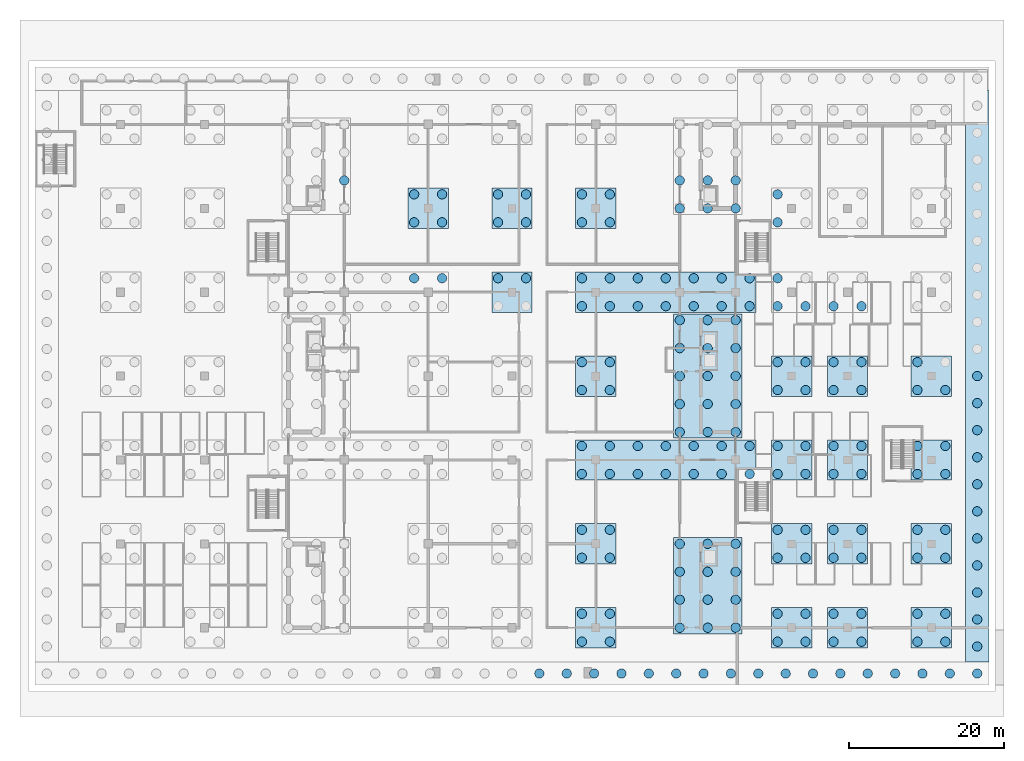
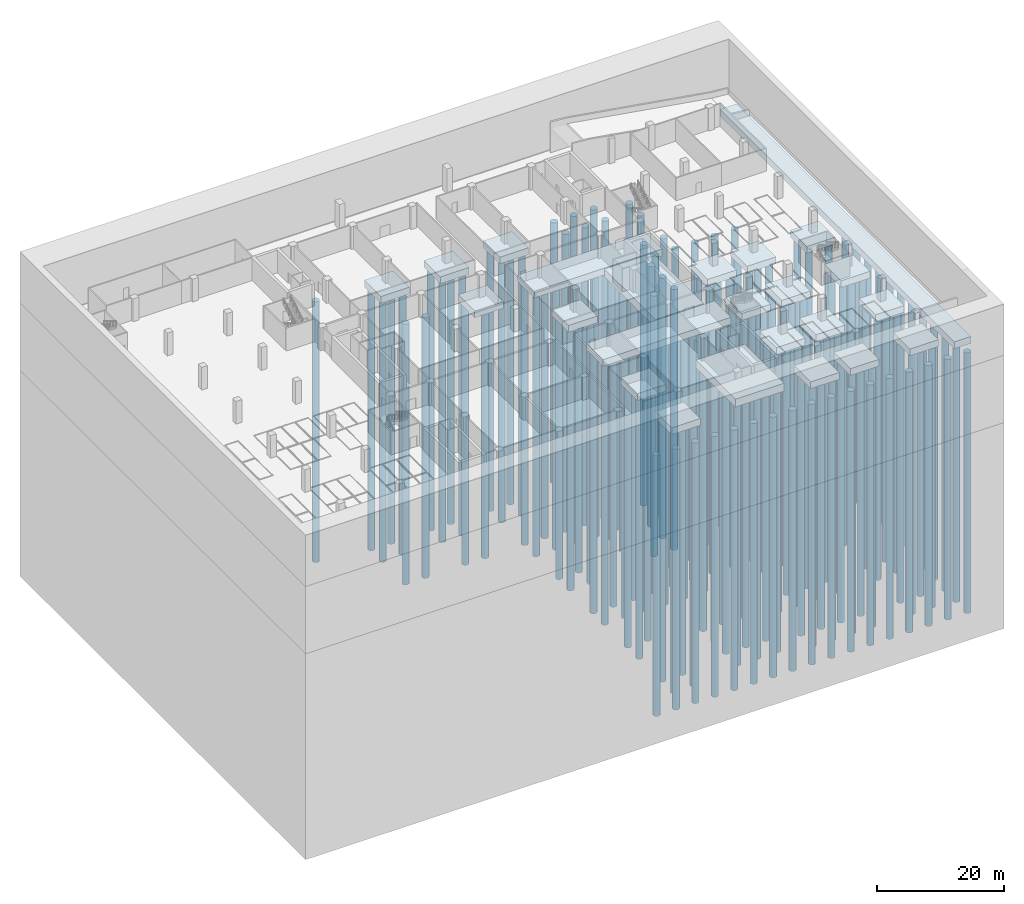
# One storey, part 2 of 18: 172 piles, 24 footings.
"""IFC4 building model written with IfcOpenShell, lengths in metres."""

from ifc_helpers import new_model, si_unit, direction, frame, origin, origin_2d, place, context, subcontext, project, spatial, polyline, circle, outline, extrude, material, material_profile, profile_set, type_object, element, save


model = new_model("IFC4")

# Units and contexts
model_context = context("Model", 3, precision=1e-05, world=origin(), true_north=direction((0.0, 1.0)))
body_context = subcontext(model_context, "Body", "Model", "MODEL_VIEW")
ifc_project = project(units=[si_unit("LENGTHUNIT", "METRE"), si_unit("AREAUNIT", "SQUARE_METRE"), si_unit("VOLUMEUNIT", "CUBIC_METRE"), si_unit("PLANEANGLEUNIT", "RADIAN"), si_unit("MASSUNIT", "GRAM", prefix="KILO")], contexts=[model_context])

# Site, building, storey
site_placement = place(None, origin())
site = spatial("IfcSite", under=ifc_project, at=site_placement, CompositionType="ELEMENT")
building_placement = place(site_placement, origin())
building = spatial("IfcBuilding", under=site, at=building_placement, Name="Basin Gate Institute", CompositionType="ELEMENT")
storey_placement = place(building_placement, frame((0.0, 0.0, -9.60009765625)))
storey = spatial("IfcBuildingStorey", under=building, at=storey_placement, Name="B2", CompositionType="ELEMENT", Elevation=-9.60009765625)

# Piles
ifc_material_1 = material(Name="Concrete 35 MPa", Category="concrete")
ifc_material_profile = material_profile(ifc_material_1, circle(Radius=0.60009765625, at=origin_2d()), Name="Bored pile P1 1200 dia")
ifc_profile_set = profile_set([ifc_material_profile], Name="Concrete 35 MPa")
pile_type = type_object("IfcPileType", Name="Bored pile P1", PredefinedType="BORED", material=ifc_profile_set)
for number, where, z_axis, x_axis, name in (
    (1, (68.39990234375, 92.699951171875, -2.0), (0.0, 0.0, -1.0), (1.0, 0.0, 0.0), "PILE/WN/10"),
    (2, (118.800048828125, 35.10009765625, -2.0), (0.0, 0.0, -1.0), (1.0, 0.0, 0.0), "PILE/ES/1"),
    (3, (118.800048828125, 38.699951171875, -2.0), (0.0, 0.0, -1.0), (1.0, 0.0, 0.0), "PILE/ES/2"),
    (4, (118.800048828125, 42.300048828125, -2.0), (0.0, 0.0, -1.0), (1.0, 0.0, 0.0), "PILE/ES/3"),
    (5, (118.800048828125, 45.89990234375, -2.0), (0.0, 0.0, -1.0), (1.0, 0.0, 0.0), "PILE/ES/4"),
    (6, (115.199951171875, 35.10009765625, -2.0), (0.0, 0.0, -1.0), (1.0, 0.0, 0.0), "PILE/ES/5"),
    (7, (115.199951171875, 38.699951171875, -2.0), (0.0, 0.0, -1.0), (1.0, 0.0, 0.0), "PILE/ES/6"),
    (8, (115.199951171875, 42.300048828125, -2.0), (0.0, 0.0, -1.0), (1.0, 0.0, 0.0), "PILE/ES/7"),
    (9, (115.199951171875, 45.89990234375, -2.0), (0.0, 0.0, -1.0), (1.0, 0.0, 0.0), "PILE/ES/8"),
    (10, (111.60009765625, 35.10009765625, -2.0), (0.0, 0.0, -1.0), (1.0, 0.0, 0.0), "PILE/ES/9"),
    (11, (111.60009765625, 38.699951171875, -2.0), (0.0, 0.0, -1.0), (1.0, 0.0, 0.0), "PILE/ES/10"),
    (12, (111.60009765625, 42.300048828125, -2.0), (0.0, 0.0, -1.0), (1.0, 0.0, 0.0), "PILE/ES/11"),
    (13, (111.60009765625, 45.89990234375, -2.0), (0.0, 0.0, -1.0), (1.0, 0.0, 0.0), "PILE/ES/12"),
    (14, (118.800048828125, 60.300048828125, -2.0), (0.0, 0.0, -1.0), (1.0, 0.0, 0.0), "PILE/EM/1"),
    (15, (118.800048828125, 63.89990234375, -2.0), (0.0, 0.0, -1.0), (1.0, 0.0, 0.0), "PILE/EM/2"),
    (16, (118.800048828125, 67.5, -2.0), (0.0, 0.0, -1.0), (1.0, 0.0, 0.0), "PILE/EM/3"),
    (17, (118.800048828125, 71.10009765625, -2.0), (0.0, 0.0, -1.0), (1.0, 0.0, 0.0), "PILE/EM/4"),
    (18, (118.800048828125, 74.699951171875, -2.0), (0.0, 0.0, -1.0), (1.0, 0.0, 0.0), "PILE/EM/5"),
    (19, (115.199951171875, 60.300048828125, -2.0), (0.0, 0.0, -1.0), (1.0, 0.0, 0.0), "PILE/EM/6"),
    (20, (115.199951171875, 63.89990234375, -2.0), (0.0, 0.0, -1.0), (1.0, 0.0, 0.0), "PILE/EM/7"),
    (21, (115.199951171875, 67.5, -2.0), (0.0, 0.0, -1.0), (1.0, 0.0, 0.0), "PILE/EM/8"),
    (22, (115.199951171875, 71.10009765625, -2.0), (0.0, 0.0, -1.0), (1.0, 0.0, 0.0), "PILE/EM/9"),
    (23, (115.199951171875, 74.699951171875, -2.0), (0.0, 0.0, -1.0), (1.0, 0.0, 0.0), "PILE/EM/10"),
    (24, (111.60009765625, 60.300048828125, -2.0), (0.0, 0.0, -1.0), (1.0, 0.0, 0.0), "PILE/EM/11"),
    (25, (111.60009765625, 63.89990234375, -2.0), (0.0, 0.0, -1.0), (1.0, 0.0, 0.0), "PILE/EM/12"),
    (26, (111.60009765625, 67.5, -2.0), (0.0, 0.0, -1.0), (1.0, 0.0, 0.0), "PILE/EM/13"),
    (27, (111.60009765625, 71.10009765625, -2.0), (0.0, 0.0, -1.0), (1.0, 0.0, 0.0), "PILE/EM/14"),
    (28, (111.60009765625, 74.699951171875, -2.0), (0.0, 0.0, -1.0), (1.0, 0.0, 0.0), "PILE/EM/15"),
    (29, (118.800048828125, 89.10009765625, -2.0), (0.0, 0.0, -1.0), (1.0, 0.0, 0.0), "PILE/EN/1"),
    (30, (118.800048828125, 92.699951171875, -2.0), (0.0, 0.0, -1.0), (1.0, 0.0, 0.0), "PILE/EN/2"),
    (31, (115.199951171875, 89.10009765625, -2.0), (0.0, 0.0, -1.0), (1.0, 0.0, 0.0), "PILE/EN/5"),
    (32, (115.199951171875, 92.699951171875, -2.0), (0.0, 0.0, -1.0), (1.0, 0.0, 0.0), "PILE/EN/6"),
    (33, (111.60009765625, 89.10009765625, -2.0), (0.0, 0.0, -1.0), (1.0, 0.0, 0.0), "PILE/EN/9"),
    (34, (111.60009765625, 92.699951171875, -2.0), (0.0, 0.0, -1.0), (1.0, 0.0, 0.0), "PILE/EN/10"),
    (35, (77.39990234375, 80.10009765625, -1.7998046875), (0.0, 0.0, -1.0), (1.0, 0.0, 0.0), "PILE/WWE/12"),
    (36, (81.0, 80.10009765625, -1.7998046875), (0.0, 0.0, -1.0), (1.0, 0.0, 0.0), "PILE/WWE/14"),
    (37, (120.60009765625, 54.89990234375, -1.7998046875), (0.0, 0.0, -1.0), (1.0, 0.0, 0.0), "PILE/EWC/1"),
    (38, (120.60009765625, 58.5, -1.7998046875), (0.0, 0.0, -1.0), (1.0, 0.0, 0.0), "PILE/EWC/2"),
    (39, (117.0, 54.89990234375, -1.7998046875), (0.0, 0.0, -1.0), (1.0, 0.0, 0.0), "PILE/EWC/3"),
    (40, (117.0, 58.5, -1.7998046875), (0.0, 0.0, -1.0), (1.0, 0.0, 0.0), "PILE/EWC/4"),
    (41, (113.39990234375, 54.89990234375, -1.7998046875), (0.0, 0.0, -1.0), (1.0, 0.0, 0.0), "PILE/EWC/5"),
    (42, (113.39990234375, 58.5, -1.7998046875), (0.0, 0.0, -1.0), (1.0, 0.0, 0.0), "PILE/EWC/6"),
    (43, (109.800048828125, 54.89990234375, -1.7998046875), (0.0, 0.0, -1.0), (1.0, 0.0, 0.0), "PILE/EWC/7"),
    (44, (109.800048828125, 58.5, -1.7998046875), (0.0, 0.0, -1.0), (1.0, 0.0, 0.0), "PILE/EWC/8"),
    (45, (106.199951171875, 54.89990234375, -1.7998046875), (0.0, 0.0, -1.0), (1.0, 0.0, 0.0), "PILE/EWC/9"),
    (46, (106.199951171875, 58.5, -1.7998046875), (0.0, 0.0, -1.0), (1.0, 0.0, 0.0), "PILE/EWC/10"),
    (47, (102.60009765625, 54.89990234375, -1.7998046875), (0.0, 0.0, -1.0), (1.0, 0.0, 0.0), "PILE/EWC/11"),
    (48, (102.60009765625, 58.5, -1.7998046875), (0.0, 0.0, -1.0), (1.0, 0.0, 0.0), "PILE/EWC/12"),
    (49, (99.0, 54.89990234375, -1.7998046875), (0.0, 0.0, -1.0), (1.0, 0.0, 0.0), "PILE/EWC/13"),
    (50, (99.0, 58.5, -1.7998046875), (0.0, 0.0, -1.0), (1.0, 0.0, 0.0), "PILE/EWC/14"),
    (51, (120.60009765625, 76.5, -1.7998046875), (0.0, 0.0, -1.0), (1.0, 0.0, 0.0), "PILE/EWE/1"),
    (52, (120.60009765625, 80.10009765625, -1.7998046875), (0.0, 0.0, -1.0), (1.0, 0.0, 0.0), "PILE/EWE/2"),
    (53, (117.0, 76.5, -1.7998046875), (0.0, 0.0, -1.0), (1.0, 0.0, 0.0), "PILE/EWE/3"),
    (54, (117.0, 80.10009765625, -1.7998046875), (0.0, 0.0, -1.0), (1.0, 0.0, 0.0), "PILE/EWE/4"),
    (55, (113.39990234375, 76.5, -1.7998046875), (0.0, 0.0, -1.0), (1.0, 0.0, 0.0), "PILE/EWE/5"),
    (56, (113.39990234375, 80.10009765625, -1.7998046875), (0.0, 0.0, -1.0), (1.0, 0.0, 0.0), "PILE/EWE/6"),
    (57, (109.800048828125, 76.5, -1.7998046875), (0.0, 0.0, -1.0), (1.0, 0.0, 0.0), "PILE/EWE/7"),
    (58, (109.800048828125, 80.10009765625, -1.7998046875), (0.0, 0.0, -1.0), (1.0, 0.0, 0.0), "PILE/EWE/8"),
    (59, (106.199951171875, 76.5, -1.7998046875), (0.0, 0.0, -1.0), (1.0, 0.0, 0.0), "PILE/EWE/9"),
    (60, (106.199951171875, 80.10009765625, -1.7998046875), (0.0, 0.0, -1.0), (1.0, 0.0, 0.0), "PILE/EWE/10"),
    (61, (102.60009765625, 76.5, -1.7998046875), (0.0, 0.0, -1.0), (1.0, 0.0, 0.0), "PILE/EWE/11"),
    (62, (102.60009765625, 80.10009765625, -1.7998046875), (0.0, 0.0, -1.0), (1.0, 0.0, 0.0), "PILE/EWE/12"),
    (63, (99.0, 76.5, -1.7998046875), (0.0, 0.0, -1.0), (1.0, 0.0, 0.0), "PILE/EWE/13"),
    (64, (99.0, 80.10009765625, -1.7998046875), (0.0, 0.0, -1.0), (1.0, 0.0, 0.0), "PILE/EWE/14"),
    (65, (77.39990234375, 87.300048828125, -1.7998046875), (0.0, 0.0, -1.0), (1.0, 0.0, 0.0), "PILE/6F/1"),
    (66, (81.0, 87.300048828125, -1.7998046875), (0.0, 0.0, -1.0), (1.0, 0.0, 0.0), "PILE/6F/2"),
    (67, (77.39990234375, 90.89990234375, -1.7998046875), (0.0, 0.0, -1.0), (1.0, 0.0, 0.0), "PILE/6F/3"),
    (68, (81.0, 90.89990234375, -1.7998046875), (0.0, 0.0, -1.0), (1.0, 0.0, 0.0), "PILE/6F/4"),
    (69, (99.0, 33.300048828125, -1.7998046875), (0.0, 0.0, -1.0), (1.0, 0.0, 0.0), "PILE/7A/1"),
    (70, (102.60009765625, 33.300048828125, -1.7998046875), (0.0, 0.0, -1.0), (1.0, 0.0, 0.0), "PILE/7A/2"),
    (71, (99.0, 36.89990234375, -1.7998046875), (0.0, 0.0, -1.0), (1.0, 0.0, 0.0), "PILE/7A/3"),
    (72, (102.60009765625, 36.89990234375, -1.7998046875), (0.0, 0.0, -1.0), (1.0, 0.0, 0.0), "PILE/7A/4"),
    (73, (99.0, 44.10009765625, -1.7998046875), (0.0, 0.0, -1.0), (1.0, 0.0, 0.0), "PILE/7B/1"),
    (74, (102.60009765625, 44.10009765625, -1.7998046875), (0.0, 0.0, -1.0), (1.0, 0.0, 0.0), "PILE/7B/2"),
    (75, (99.0, 47.699951171875, -1.7998046875), (0.0, 0.0, -1.0), (1.0, 0.0, 0.0), "PILE/7B/3"),
    (76, (102.60009765625, 47.699951171875, -1.7998046875), (0.0, 0.0, -1.0), (1.0, 0.0, 0.0), "PILE/7B/4"),
    (77, (99.0, 65.699951171875, -1.7998046875), (0.0, 0.0, -1.0), (1.0, 0.0, 0.0), "PILE/7D/1"),
    (78, (102.60009765625, 65.699951171875, -1.7998046875), (0.0, 0.0, -1.0), (1.0, 0.0, 0.0), "PILE/7D/2"),
    (79, (99.0, 69.300048828125, -1.7998046875), (0.0, 0.0, -1.0), (1.0, 0.0, 0.0), "PILE/7D/3"),
    (80, (102.60009765625, 69.300048828125, -1.7998046875), (0.0, 0.0, -1.0), (1.0, 0.0, 0.0), "PILE/7D/4"),
    (81, (99.0, 87.300048828125, -1.7998046875), (0.0, 0.0, -1.0), (1.0, 0.0, 0.0), "PILE/7F/1"),
    (82, (102.60009765625, 87.300048828125, -1.7998046875), (0.0, 0.0, -1.0), (1.0, 0.0, 0.0), "PILE/7F/2"),
    (83, (99.0, 90.89990234375, -1.7998046875), (0.0, 0.0, -1.0), (1.0, 0.0, 0.0), "PILE/7F/3"),
    (84, (102.60009765625, 90.89990234375, -1.7998046875), (0.0, 0.0, -1.0), (1.0, 0.0, 0.0), "PILE/7F/4"),
    (85, (88.199951171875, 80.10009765625, -1.7998046875), (0.0, 0.0, -1.0), (1.0, 0.0, 0.0), "PILE/6.5E/3"),
    (86, (91.800048828125, 80.10009765625, -1.7998046875), (0.0, 0.0, -1.0), (1.0, 0.0, 0.0), "PILE/6.5E/4"),
    (87, (88.199951171875, 87.300048828125, -1.7998046875), (0.0, 0.0, -1.0), (1.0, 0.0, 0.0), "PILE/6.5F/1"),
    (88, (91.800048828125, 87.300048828125, -1.7998046875), (0.0, 0.0, -1.0), (1.0, 0.0, 0.0), "PILE/6.5F/2"),
    (89, (88.199951171875, 90.89990234375, -1.7998046875), (0.0, 0.0, -1.0), (1.0, 0.0, 0.0), "PILE/6.5F/3"),
    (90, (91.800048828125, 90.89990234375, -1.7998046875), (0.0, 0.0, -1.0), (1.0, 0.0, 0.0), "PILE/6.5F/4"),
    (91, (124.199951171875, 33.300048828125, -1.7998046875), (0.0, 0.0, -1.0), (1.0, 0.0, 0.0), "PILE/10A/1"),
    (92, (127.800048828125, 33.300048828125, -1.7998046875), (0.0, 0.0, -1.0), (1.0, 0.0, 0.0), "PILE/10A/2"),
    (93, (124.199951171875, 36.89990234375, -1.7998046875), (0.0, 0.0, -1.0), (1.0, 0.0, 0.0), "PILE/10A/3"),
    (94, (127.800048828125, 36.89990234375, -1.7998046875), (0.0, 0.0, -1.0), (1.0, 0.0, 0.0), "PILE/10A/4"),
    (95, (124.199951171875, 44.10009765625, -1.7998046875), (0.0, 0.0, -1.0), (1.0, 0.0, 0.0), "PILE/10B/1"),
    (96, (127.800048828125, 44.10009765625, -1.7998046875), (0.0, 0.0, -1.0), (1.0, 0.0, 0.0), "PILE/10B/2"),
    (97, (124.199951171875, 47.699951171875, -1.7998046875), (0.0, 0.0, -1.0), (1.0, 0.0, 0.0), "PILE/10B/3"),
    (98, (127.800048828125, 47.699951171875, -1.7998046875), (0.0, 0.0, -1.0), (1.0, 0.0, 0.0), "PILE/10B/4"),
    (99, (124.199951171875, 54.89990234375, -1.7998046875), (0.0, 0.0, -1.0), (1.0, 0.0, 0.0), "PILE/10C/1"),
    (100, (127.800048828125, 54.89990234375, -1.7998046875), (0.0, 0.0, -1.0), (1.0, 0.0, 0.0), "PILE/10C/2"),
    (101, (124.199951171875, 58.5, -1.7998046875), (0.0, 0.0, -1.0), (1.0, 0.0, 0.0), "PILE/10C/3"),
    (102, (127.800048828125, 58.5, -1.7998046875), (0.0, 0.0, -1.0), (1.0, 0.0, 0.0), "PILE/10C/4"),
    (103, (124.199951171875, 65.699951171875, -1.7998046875), (0.0, 0.0, -1.0), (1.0, 0.0, 0.0), "PILE/10D/1"),
    (104, (127.800048828125, 65.699951171875, -1.7998046875), (0.0, 0.0, -1.0), (1.0, 0.0, 0.0), "PILE/10D/2"),
    (105, (124.199951171875, 69.300048828125, -1.7998046875), (0.0, 0.0, -1.0), (1.0, 0.0, 0.0), "PILE/10D/3"),
    (106, (127.800048828125, 69.300048828125, -1.7998046875), (0.0, 0.0, -1.0), (1.0, 0.0, 0.0), "PILE/10D/4"),
    (107, (124.199951171875, 76.5, -1.7998046875), (0.0, 0.0, -1.0), (1.0, 0.0, 0.0), "PILE/10E/1"),
    (108, (127.800048828125, 76.5, -1.7998046875), (0.0, 0.0, -1.0), (1.0, 0.0, 0.0), "PILE/10E/2"),
    (109, (124.199951171875, 80.10009765625, -1.7998046875), (0.0, 0.0, -1.0), (1.0, 0.0, 0.0), "PILE/10E/3"),
    (110, (124.199951171875, 87.300048828125, -1.7998046875), (0.0, 0.0, -1.0), (1.0, 0.0, 0.0), "PILE/10F/1"),
    (111, (124.199951171875, 90.89990234375, -1.7998046875), (0.0, 0.0, -1.0), (1.0, 0.0, 0.0), "PILE/10F/3"),
    (112, (131.39990234375, 33.300048828125, -1.7998046875), (0.0, 0.0, -1.0), (1.0, 0.0, 0.0), "PILE/11A/1"),
    (113, (135.0, 33.300048828125, -1.7998046875), (0.0, 0.0, -1.0), (1.0, 0.0, 0.0), "PILE/11A/2"),
    (114, (131.39990234375, 36.89990234375, -1.7998046875), (0.0, 0.0, -1.0), (1.0, 0.0, 0.0), "PILE/11A/3"),
    (115, (135.0, 36.89990234375, -1.7998046875), (0.0, 0.0, -1.0), (1.0, 0.0, 0.0), "PILE/11A/4"),
    (116, (131.39990234375, 44.10009765625, -1.7998046875), (0.0, 0.0, -1.0), (1.0, 0.0, 0.0), "PILE/11B/1"),
    (117, (135.0, 44.10009765625, -1.7998046875), (0.0, 0.0, -1.0), (1.0, 0.0, 0.0), "PILE/11B/2"),
    (118, (131.39990234375, 47.699951171875, -1.7998046875), (0.0, 0.0, -1.0), (1.0, 0.0, 0.0), "PILE/11B/3"),
    (119, (135.0, 47.699951171875, -1.7998046875), (0.0, 0.0, -1.0), (1.0, 0.0, 0.0), "PILE/11B/4"),
    (120, (131.39990234375, 54.89990234375, -1.7998046875), (0.0, 0.0, -1.0), (1.0, 0.0, 0.0), "PILE/11C/1"),
    (121, (135.0, 54.89990234375, -1.7998046875), (0.0, 0.0, -1.0), (1.0, 0.0, 0.0), "PILE/11C/2"),
    (122, (131.39990234375, 58.5, -1.7998046875), (0.0, 0.0, -1.0), (1.0, 0.0, 0.0), "PILE/11C/3"),
    (123, (135.0, 58.5, -1.7998046875), (0.0, 0.0, -1.0), (1.0, 0.0, 0.0), "PILE/11C/4"),
    (124, (131.39990234375, 65.699951171875, -1.7998046875), (0.0, 0.0, -1.0), (1.0, 0.0, 0.0), "PILE/11D/1"),
    (125, (135.0, 65.699951171875, -1.7998046875), (0.0, 0.0, -1.0), (1.0, 0.0, 0.0), "PILE/11D/2"),
    (126, (131.39990234375, 69.300048828125, -1.7998046875), (0.0, 0.0, -1.0), (1.0, 0.0, 0.0), "PILE/11D/3"),
    (127, (135.0, 69.300048828125, -1.7998046875), (0.0, 0.0, -1.0), (1.0, 0.0, 0.0), "PILE/11D/4"),
    (128, (131.39990234375, 76.5, -1.7998046875), (0.0, 0.0, -1.0), (1.0, 0.0, 0.0), "PILE/11E/1"),
    (129, (135.0, 76.5, -1.7998046875), (0.0, 0.0, -1.0), (1.0, 0.0, 0.0), "PILE/11E/2"),
    (130, (142.199951171875, 33.300048828125, -1.7998046875), (0.0, 0.0, -1.0), (1.0, 0.0, 0.0), "PILE/E1A/1"),
    (131, (145.800048828125, 33.300048828125, -1.7998046875), (0.0, 0.0, -1.0), (1.0, 0.0, 0.0), "PILE/E1A/2"),
    (132, (142.199951171875, 36.89990234375, -1.7998046875), (0.0, 0.0, -1.0), (1.0, 0.0, 0.0), "PILE/E1A/3"),
    (133, (145.800048828125, 36.89990234375, -1.7998046875), (0.0, 0.0, -1.0), (1.0, 0.0, 0.0), "PILE/E1A/4"),
    (134, (142.199951171875, 44.10009765625, -1.7998046875), (0.0, 0.0, -1.0), (1.0, 0.0, 0.0), "PILE/E1B/1"),
    (135, (145.800048828125, 44.10009765625, -1.7998046875), (0.0, 0.0, -1.0), (1.0, 0.0, 0.0), "PILE/E1B/2"),
    (136, (142.199951171875, 47.699951171875, -1.7998046875), (0.0, 0.0, -1.0), (1.0, 0.0, 0.0), "PILE/E1B/3"),
    (137, (145.800048828125, 47.699951171875, -1.7998046875), (0.0, 0.0, -1.0), (1.0, 0.0, 0.0), "PILE/E1B/4"),
    (138, (142.199951171875, 54.89990234375, -1.7998046875), (0.0, 0.0, -1.0), (1.0, 0.0, 0.0), "PILE/E1C/1"),
    (139, (145.800048828125, 54.89990234375, -1.7998046875), (0.0, 0.0, -1.0), (1.0, 0.0, 0.0), "PILE/E1C/2"),
    (140, (142.199951171875, 58.5, -1.7998046875), (0.0, 0.0, -1.0), (1.0, 0.0, 0.0), "PILE/E1C/3"),
    (141, (145.800048828125, 58.5, -1.7998046875), (0.0, 0.0, -1.0), (1.0, 0.0, 0.0), "PILE/E1C/4"),
    (142, (142.199951171875, 65.699951171875, -1.7998046875), (0.0, 0.0, -1.0), (1.0, 0.0, 0.0), "PILE/E1D/1"),
    (143, (145.800048828125, 65.699951171875, -1.7998046875), (0.0, 0.0, -1.0), (1.0, 0.0, 0.0), "PILE/E1D/2"),
    (144, (142.199951171875, 69.300048828125, -1.7998046875), (0.0, 0.0, -1.0), (1.0, 0.0, 0.0), "PILE/E1D/3"),
    (145, (93.5234375, 29.199951171875, -1.7998046875), (0.0, 0.0, -1.0), (1.0, 0.0, 0.0), "PILE/STRIP-S/19"),
    (146, (97.047119140625, 29.199951171875, -1.7998046875), (0.0, 0.0, -1.0), (1.0, 0.0, 0.0), "PILE/STRIP-S/20"),
    (147, (100.570556640625, 29.199951171875, -1.7998046875), (0.0, 0.0, -1.0), (1.0, 0.0, 0.0), "PILE/STRIP-S/21"),
    (148, (104.09423828125, 29.199951171875, -1.7998046875), (0.0, 0.0, -1.0), (1.0, 0.0, 0.0), "PILE/STRIP-S/22"),
    (149, (107.61767578125, 29.199951171875, -1.7998046875), (0.0, 0.0, -1.0), (1.0, 0.0, 0.0), "PILE/STRIP-S/23"),
    (150, (111.14111328125, 29.199951171875, -1.7998046875), (0.0, 0.0, -1.0), (1.0, 0.0, 0.0), "PILE/STRIP-S/24"),
    (151, (114.664794921875, 29.199951171875, -1.7998046875), (0.0, 0.0, -1.0), (1.0, 0.0, 0.0), "PILE/STRIP-S/25"),
    (152, (118.188232421875, 29.199951171875, -1.7998046875), (0.0, 0.0, -1.0), (1.0, 0.0, 0.0), "PILE/STRIP-S/26"),
    (153, (121.711669921875, 29.199951171875, -1.7998046875), (0.0, 0.0, -1.0), (1.0, 0.0, 0.0), "PILE/STRIP-S/27"),
    (154, (125.2353515625, 29.199951171875, -1.7998046875), (0.0, 0.0, -1.0), (1.0, 0.0, 0.0), "PILE/STRIP-S/28"),
    (155, (128.7587890625, 29.199951171875, -1.7998046875), (0.0, 0.0, -1.0), (1.0, 0.0, 0.0), "PILE/STRIP-S/29"),
    (156, (132.282470703125, 29.199951171875, -1.7998046875), (0.0, 0.0, -1.0), (1.0, 0.0, 0.0), "PILE/STRIP-S/30"),
    (157, (135.805908203125, 29.199951171875, -1.7998046875), (0.0, 0.0, -1.0), (1.0, 0.0, 0.0), "PILE/STRIP-S/31"),
    (158, (139.329345703125, 29.199951171875, -1.7998046875), (0.0, 0.0, -1.0), (1.0, 0.0, 0.0), "PILE/STRIP-S/32"),
    (159, (142.85302734375, 29.199951171875, -1.7998046875), (0.0, 0.0, -1.0), (1.0, 0.0, 0.0), "PILE/STRIP-S/33"),
    (160, (146.37646484375, 29.199951171875, -1.7998046875), (0.0, 0.0, -1.0), (1.0, 0.0, 0.0), "PILE/STRIP-S/34"),
    (161, (149.89990234375, 29.199951171875, -1.7998046875), (0.0, 0.0, -1.0), (1.0, 0.0, 0.0), "PILE/STRIP-S/35"),
    (162, (149.89990234375, 32.681884765625, -1.7998046875), (0.0, 0.0, -1.0), (1.0, 0.0, 0.0), "PILE/STRIP-E/1"),
    (163, (149.89990234375, 36.16357421875, -1.7998046875), (0.0, 0.0, -1.0), (1.0, 0.0, 0.0), "PILE/STRIP-E/2"),
    (164, (149.89990234375, 39.6455078125, -1.7998046875), (0.0, 0.0, -1.0), (1.0, 0.0, 0.0), "PILE/STRIP-E/3"),
    (165, (149.89990234375, 43.127197265625, -1.7998046875), (0.0, 0.0, -1.0), (1.0, 0.0, 0.0), "PILE/STRIP-E/4"),
    (166, (149.89990234375, 46.609130859375, -1.7998046875), (0.0, 0.0, -1.0), (1.0, 0.0, 0.0), "PILE/STRIP-E/5"),
    (167, (149.89990234375, 50.0908203125, -1.7998046875), (0.0, 0.0, -1.0), (1.0, 0.0, 0.0), "PILE/STRIP-E/6"),
    (168, (149.89990234375, 53.57275390625, -1.7998046875), (0.0, 0.0, -1.0), (1.0, 0.0, 0.0), "PILE/STRIP-E/7"),
    (169, (149.89990234375, 57.054443359375, -1.7998046875), (0.0, 0.0, -1.0), (1.0, 0.0, 0.0), "PILE/STRIP-E/8"),
    (170, (149.89990234375, 60.536376953125, -1.7998046875), (0.0, 0.0, -1.0), (1.0, 0.0, 0.0), "PILE/STRIP-E/9"),
    (171, (149.89990234375, 64.01806640625, -1.7998046875), (0.0, 0.0, -1.0), (1.0, 0.0, 0.0), "PILE/STRIP-E/10"),
    (172, (149.89990234375, 67.5, -1.7998046875), (0.0, 0.0, -1.0), (1.0, 0.0, 0.0), "PILE/STRIP-E/11"),
):
    element("IfcPile", number, at=place(storey_placement, frame(where, z_axis=z_axis, x_axis=x_axis)), inside=storey, type_object=pile_type, material=ifc_profile_set, Name=name, PredefinedType="BORED", context=body_context, shape_type="SweptSolid", body=[
        extrude(circle(Radius=0.60009765625, at=origin_2d()), origin(), (0.0, 0.0, 1.0), 50.0),
    ])

# Footings
ifc_material_2 = material(Name="Concrete 35 MPa", Category="concrete")
footing_type_1 = type_object("IfcFootingType", Name="Pile cap PC1", PredefinedType="PILE_CAP", material=ifc_material_2)
footing_1_placement = place(storey_placement, frame((0.0, 0.0, -1.7998046875)))
element("IfcFooting", 173, at=footing_1_placement, inside=storey, type_object=footing_type_1, material=ifc_material_2, Name="CAP/6F", PredefinedType="PILE_CAP", context=body_context, shape_type="SweptSolid", body=[
    extrude(outline(polyline([(76.60009765625, 86.5), (81.800048828125, 86.5), (81.800048828125, 91.699951171875), (76.60009765625, 91.699951171875), (76.60009765625, 86.5)])), origin(), (0.0, 0.0, 1.0), 1.2998046875),
])
footing_2_placement = place(storey_placement, frame((0.0, 0.0, -1.7998046875)))
element("IfcFooting", 174, at=footing_2_placement, inside=storey, type_object=footing_type_1, material=ifc_material_2, Name="CAP/7A", PredefinedType="PILE_CAP", context=body_context, shape_type="SweptSolid", body=[
    extrude(outline(polyline([(98.199951171875, 32.5), (103.39990234375, 32.5), (103.39990234375, 37.699951171875), (98.199951171875, 37.699951171875), (98.199951171875, 32.5)])), origin(), (0.0, 0.0, 1.0), 1.2998046875),
])
footing_3_placement = place(storey_placement, frame((0.0, 0.0, -1.7998046875)))
element("IfcFooting", 175, at=footing_3_placement, inside=storey, type_object=footing_type_1, material=ifc_material_2, Name="CAP/7B", PredefinedType="PILE_CAP", context=body_context, shape_type="SweptSolid", body=[
    extrude(outline(polyline([(98.199951171875, 43.300048828125), (103.39990234375, 43.300048828125), (103.39990234375, 48.5), (98.199951171875, 48.5), (98.199951171875, 43.300048828125)])), origin(), (0.0, 0.0, 1.0), 1.2998046875),
])
footing_4_placement = place(storey_placement, frame((0.0, 0.0, -1.7998046875)))
element("IfcFooting", 176, at=footing_4_placement, inside=storey, type_object=footing_type_1, material=ifc_material_2, Name="CAP/7D", PredefinedType="PILE_CAP", context=body_context, shape_type="SweptSolid", body=[
    extrude(outline(polyline([(98.199951171875, 64.89990234375), (103.39990234375, 64.89990234375), (103.39990234375, 70.10009765625), (98.199951171875, 70.10009765625), (98.199951171875, 64.89990234375)])), origin(), (0.0, 0.0, 1.0), 1.2998046875),
])
footing_5_placement = place(storey_placement, frame((0.0, 0.0, -1.7998046875)))
element("IfcFooting", 177, at=footing_5_placement, inside=storey, type_object=footing_type_1, material=ifc_material_2, Name="CAP/7F", PredefinedType="PILE_CAP", context=body_context, shape_type="SweptSolid", body=[
    extrude(outline(polyline([(98.199951171875, 86.5), (103.39990234375, 86.5), (103.39990234375, 91.699951171875), (98.199951171875, 91.699951171875), (98.199951171875, 86.5)])), origin(), (0.0, 0.0, 1.0), 1.2998046875),
])
footing_6_placement = place(storey_placement, frame((0.0, 0.0, -1.7998046875)))
element("IfcFooting", 178, at=footing_6_placement, inside=storey, type_object=footing_type_1, material=ifc_material_2, Name="CAP/6.5E", PredefinedType="PILE_CAP", context=body_context, shape_type="SweptSolid", body=[
    extrude(outline(polyline([(87.39990234375, 75.699951171875), (92.60009765625, 75.699951171875), (92.60009765625, 80.89990234375), (87.39990234375, 80.89990234375), (87.39990234375, 75.699951171875)])), origin(), (0.0, 0.0, 1.0), 1.2998046875),
])
footing_7_placement = place(storey_placement, frame((0.0, 0.0, -1.7998046875)))
element("IfcFooting", 179, at=footing_7_placement, inside=storey, type_object=footing_type_1, material=ifc_material_2, Name="CAP/6.5F", PredefinedType="PILE_CAP", context=body_context, shape_type="SweptSolid", body=[
    extrude(outline(polyline([(87.39990234375, 86.5), (92.60009765625, 86.5), (92.60009765625, 91.699951171875), (87.39990234375, 91.699951171875), (87.39990234375, 86.5)])), origin(), (0.0, 0.0, 1.0), 1.2998046875),
])
footing_8_placement = place(storey_placement, frame((0.0, 0.0, -1.7998046875)))
element("IfcFooting", 180, at=footing_8_placement, inside=storey, type_object=footing_type_1, material=ifc_material_2, Name="CAP/10A", PredefinedType="PILE_CAP", context=body_context, shape_type="SweptSolid", body=[
    extrude(outline(polyline([(123.39990234375, 32.5), (128.60009765625, 32.5), (128.60009765625, 37.699951171875), (123.39990234375, 37.699951171875), (123.39990234375, 32.5)])), origin(), (0.0, 0.0, 1.0), 1.2998046875),
])
footing_9_placement = place(storey_placement, frame((0.0, 0.0, -1.7998046875)))
element("IfcFooting", 181, at=footing_9_placement, inside=storey, type_object=footing_type_1, material=ifc_material_2, Name="CAP/10B", PredefinedType="PILE_CAP", context=body_context, shape_type="SweptSolid", body=[
    extrude(outline(polyline([(123.39990234375, 43.300048828125), (128.60009765625, 43.300048828125), (128.60009765625, 48.5), (123.39990234375, 48.5), (123.39990234375, 43.300048828125)])), origin(), (0.0, 0.0, 1.0), 1.2998046875),
])
footing_10_placement = place(storey_placement, frame((0.0, 0.0, -1.7998046875)))
element("IfcFooting", 182, at=footing_10_placement, inside=storey, type_object=footing_type_1, material=ifc_material_2, Name="CAP/10C", PredefinedType="PILE_CAP", context=body_context, shape_type="SweptSolid", body=[
    extrude(outline(polyline([(123.39990234375, 54.10009765625), (128.60009765625, 54.10009765625), (128.60009765625, 59.300048828125), (123.39990234375, 59.300048828125), (123.39990234375, 54.10009765625)])), origin(), (0.0, 0.0, 1.0), 1.2998046875),
])
footing_11_placement = place(storey_placement, frame((0.0, 0.0, -1.7998046875)))
element("IfcFooting", 183, at=footing_11_placement, inside=storey, type_object=footing_type_1, material=ifc_material_2, Name="CAP/10D", PredefinedType="PILE_CAP", context=body_context, shape_type="SweptSolid", body=[
    extrude(outline(polyline([(123.39990234375, 64.89990234375), (128.60009765625, 64.89990234375), (128.60009765625, 70.10009765625), (123.39990234375, 70.10009765625), (123.39990234375, 64.89990234375)])), origin(), (0.0, 0.0, 1.0), 1.2998046875),
])
footing_12_placement = place(storey_placement, frame((0.0, 0.0, -1.7998046875)))
element("IfcFooting", 184, at=footing_12_placement, inside=storey, type_object=footing_type_1, material=ifc_material_2, Name="CAP/11A", PredefinedType="PILE_CAP", context=body_context, shape_type="SweptSolid", body=[
    extrude(outline(polyline([(130.60009765625, 32.5), (135.800048828125, 32.5), (135.800048828125, 37.699951171875), (130.60009765625, 37.699951171875), (130.60009765625, 32.5)])), origin(), (0.0, 0.0, 1.0), 1.2998046875),
])
footing_13_placement = place(storey_placement, frame((0.0, 0.0, -1.7998046875)))
element("IfcFooting", 185, at=footing_13_placement, inside=storey, type_object=footing_type_1, material=ifc_material_2, Name="CAP/11B", PredefinedType="PILE_CAP", context=body_context, shape_type="SweptSolid", body=[
    extrude(outline(polyline([(130.60009765625, 43.300048828125), (135.800048828125, 43.300048828125), (135.800048828125, 48.5), (130.60009765625, 48.5), (130.60009765625, 43.300048828125)])), origin(), (0.0, 0.0, 1.0), 1.2998046875),
])
footing_14_placement = place(storey_placement, frame((0.0, 0.0, -1.7998046875)))
element("IfcFooting", 186, at=footing_14_placement, inside=storey, type_object=footing_type_1, material=ifc_material_2, Name="CAP/11C", PredefinedType="PILE_CAP", context=body_context, shape_type="SweptSolid", body=[
    extrude(outline(polyline([(130.60009765625, 54.10009765625), (135.800048828125, 54.10009765625), (135.800048828125, 59.300048828125), (130.60009765625, 59.300048828125), (130.60009765625, 54.10009765625)])), origin(), (0.0, 0.0, 1.0), 1.2998046875),
])
footing_15_placement = place(storey_placement, frame((0.0, 0.0, -1.7998046875)))
element("IfcFooting", 187, at=footing_15_placement, inside=storey, type_object=footing_type_1, material=ifc_material_2, Name="CAP/11D", PredefinedType="PILE_CAP", context=body_context, shape_type="SweptSolid", body=[
    extrude(outline(polyline([(130.60009765625, 64.89990234375), (135.800048828125, 64.89990234375), (135.800048828125, 70.10009765625), (130.60009765625, 70.10009765625), (130.60009765625, 64.89990234375)])), origin(), (0.0, 0.0, 1.0), 1.2998046875),
])
footing_16_placement = place(storey_placement, frame((0.0, 0.0, -1.7998046875)))
element("IfcFooting", 188, at=footing_16_placement, inside=storey, type_object=footing_type_1, material=ifc_material_2, Name="CAP/E1A", PredefinedType="PILE_CAP", context=body_context, shape_type="SweptSolid", body=[
    extrude(outline(polyline([(141.39990234375, 32.5), (146.60009765625, 32.5), (146.60009765625, 37.699951171875), (141.39990234375, 37.699951171875), (141.39990234375, 32.5)])), origin(), (0.0, 0.0, 1.0), 1.2998046875),
])
footing_17_placement = place(storey_placement, frame((0.0, 0.0, -1.7998046875)))
element("IfcFooting", 189, at=footing_17_placement, inside=storey, type_object=footing_type_1, material=ifc_material_2, Name="CAP/E1B", PredefinedType="PILE_CAP", context=body_context, shape_type="SweptSolid", body=[
    extrude(outline(polyline([(141.39990234375, 43.300048828125), (146.60009765625, 43.300048828125), (146.60009765625, 48.5), (141.39990234375, 48.5), (141.39990234375, 43.300048828125)])), origin(), (0.0, 0.0, 1.0), 1.2998046875),
])
footing_18_placement = place(storey_placement, frame((0.0, 0.0, -1.7998046875)))
element("IfcFooting", 190, at=footing_18_placement, inside=storey, type_object=footing_type_1, material=ifc_material_2, Name="CAP/E1C", PredefinedType="PILE_CAP", context=body_context, shape_type="SweptSolid", body=[
    extrude(outline(polyline([(141.39990234375, 54.10009765625), (146.60009765625, 54.10009765625), (146.60009765625, 59.300048828125), (141.39990234375, 59.300048828125), (141.39990234375, 54.10009765625)])), origin(), (0.0, 0.0, 1.0), 1.2998046875),
])
footing_19_placement = place(storey_placement, frame((0.0, 0.0, -1.7998046875)))
element("IfcFooting", 191, at=footing_19_placement, inside=storey, type_object=footing_type_1, material=ifc_material_2, Name="CAP/E1D", PredefinedType="PILE_CAP", context=body_context, shape_type="SweptSolid", body=[
    extrude(outline(polyline([(141.39990234375, 64.89990234375), (146.60009765625, 64.89990234375), (146.60009765625, 70.10009765625), (141.39990234375, 70.10009765625), (141.39990234375, 64.89990234375)])), origin(), (0.0, 0.0, 1.0), 1.2998046875),
])
ifc_material_3 = material(Name="Concrete 35 MPa", Category="concrete")
footing_type_2 = type_object("IfcFootingType", Name="Pile cap PC3", PredefinedType="PILE_CAP", material=ifc_material_3)
footing_20_placement = place(storey_placement, frame((0.0, 0.0, -2.0)))
element("IfcFooting", 192, at=footing_20_placement, inside=storey, type_object=footing_type_2, material=ifc_material_3, Name="CAP/ES", PredefinedType="PILE_CAP", context=body_context, shape_type="SweptSolid", body=[
    extrude(outline(polyline([(110.800048828125, 34.300048828125), (119.60009765625, 34.300048828125), (119.60009765625, 46.699951171875), (110.800048828125, 46.699951171875), (110.800048828125, 34.300048828125)])), origin(), (0.0, 0.0, 1.0), 1.5),
])
ifc_material_4 = material(Name="Concrete 35 MPa", Category="concrete")
footing_type_3 = type_object("IfcFootingType", Name="Pile cap PC4", PredefinedType="PILE_CAP", material=ifc_material_4)
footing_21_placement = place(storey_placement, frame((0.0, 0.0, -2.0)))
element("IfcFooting", 193, at=footing_21_placement, inside=storey, type_object=footing_type_3, material=ifc_material_4, Name="CAP/EM", PredefinedType="PILE_CAP", context=body_context, shape_type="SweptSolid", body=[
    extrude(outline(polyline([(110.800048828125, 59.5), (119.60009765625, 59.5), (119.60009765625, 75.5), (110.800048828125, 75.5), (110.800048828125, 59.5)])), origin(), (0.0, 0.0, 1.0), 1.5),
])
ifc_material_5 = material(Name="Concrete 35 MPa", Category="concrete")
footing_type_4 = type_object("IfcFootingType", Name="Pile cap PC5", PredefinedType="PILE_CAP", material=ifc_material_5)
footing_22_placement = place(storey_placement, frame((0.0, 0.0, -1.7998046875)))
element("IfcFooting", 194, at=footing_22_placement, inside=storey, type_object=footing_type_4, material=ifc_material_5, Name="CAP/EWC", PredefinedType="PILE_CAP", context=body_context, shape_type="SweptSolid", body=[
    extrude(outline(polyline([(98.199951171875, 54.10009765625), (121.39990234375, 54.10009765625), (121.39990234375, 59.300048828125), (98.199951171875, 59.300048828125), (98.199951171875, 54.10009765625)])), origin(), (0.0, 0.0, 1.0), 1.2998046875),
])
footing_23_placement = place(storey_placement, frame((0.0, 0.0, -1.7998046875)))
element("IfcFooting", 195, at=footing_23_placement, inside=storey, type_object=footing_type_4, material=ifc_material_5, Name="CAP/EWE", PredefinedType="PILE_CAP", context=body_context, shape_type="SweptSolid", body=[
    extrude(outline(polyline([(98.199951171875, 75.699951171875), (121.39990234375, 75.699951171875), (121.39990234375, 80.89990234375), (98.199951171875, 80.89990234375), (98.199951171875, 75.699951171875)])), origin(), (0.0, 0.0, 1.0), 1.2998046875),
])
ifc_material_6 = material(Name="Concrete 35 MPa", Category="concrete")
footing_type_5 = type_object("IfcFootingType", Name="Strip footing SF1", PredefinedType="STRIP_FOOTING", material=ifc_material_6)
footing_24_placement = place(storey_placement, frame((0.0, 0.0, -1.7998046875)))
element("IfcFooting", 196, at=footing_24_placement, inside=storey, type_object=footing_type_5, material=ifc_material_6, Name="STRIP/E", PredefinedType="STRIP_FOOTING", context=body_context, shape_type="SweptSolid", body=[
    extrude(outline(polyline([(148.39990234375, 30.699951171875), (151.39990234375, 30.699951171875), (151.39990234375, 104.300048828125), (148.39990234375, 104.300048828125), (148.39990234375, 30.699951171875)])), origin(), (0.0, 0.0, 1.0), 1.2998046875),
])

save(model, "model.ifc")
